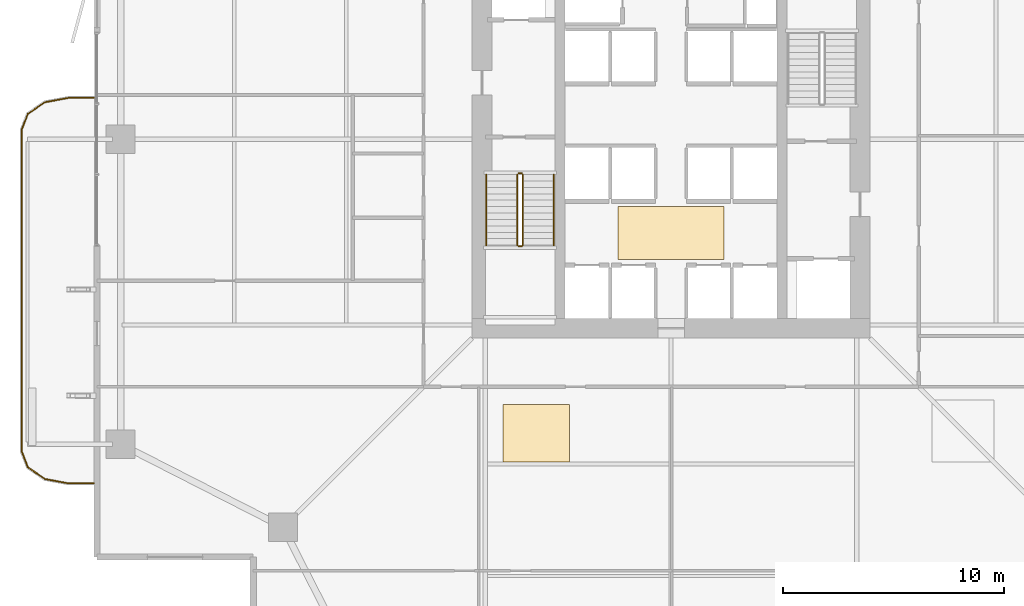
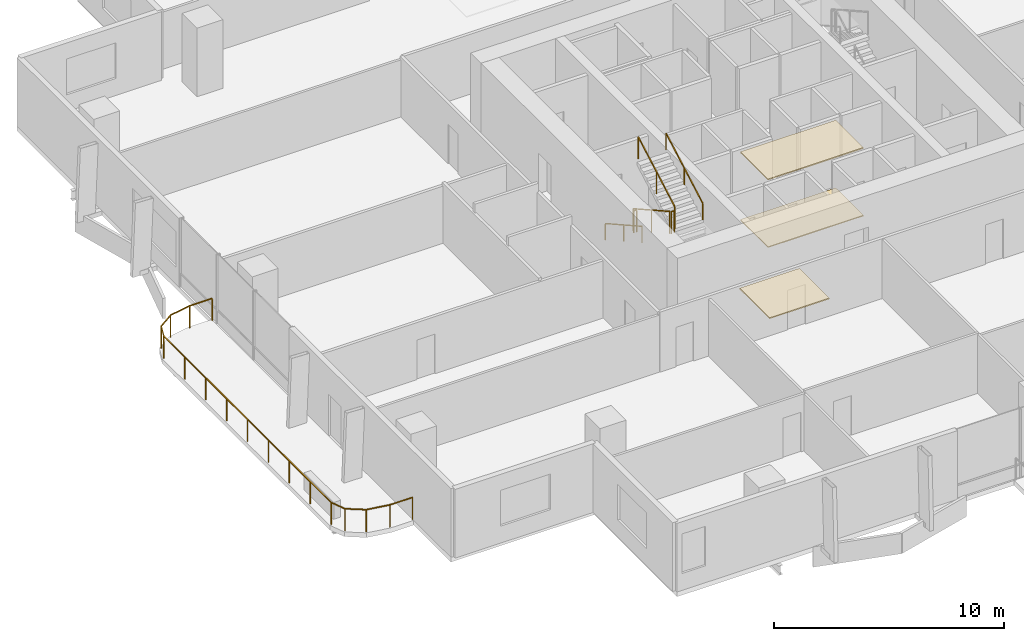
# One storey, part 21 of 24: 7 railings, 3 coverings.
"""IFC4 building model written with IfcOpenShell, lengths in metres."""

from ifc_helpers import new_model, si_unit, direction, frame, origin, origin_2d, place, context, subcontext, project, spatial, polyline, rectangle, outline, extrude, material, layer, layer_set, type_object, element, save


model = new_model("IFC4")

# Units and contexts
model_context = context("Model", 3, precision=1e-05, world=origin(), true_north=direction((0.0, 1.0)))
body_context = subcontext(model_context, "Body", "Model", "MODEL_VIEW")
ifc_project = project(units=[si_unit("LENGTHUNIT", "METRE"), si_unit("AREAUNIT", "SQUARE_METRE"), si_unit("VOLUMEUNIT", "CUBIC_METRE"), si_unit("PLANEANGLEUNIT", "RADIAN"), si_unit("MASSUNIT", "GRAM", prefix="KILO")], contexts=[model_context])

# Site, building, storey
site_placement = place(None, origin())
site = spatial("IfcSite", under=ifc_project, at=site_placement, CompositionType="ELEMENT")
building_placement = place(site_placement, origin())
building = spatial("IfcBuilding", under=site, at=building_placement, Name="Belovzor Exchange Tower", CompositionType="ELEMENT")
storey_placement = place(building_placement, frame((0.0, 0.0, 121.199951171875)))
storey = spatial("IfcBuildingStorey", under=building, at=storey_placement, Name="L29", CompositionType="ELEMENT", Elevation=121.199951171875)

# Railings
ifc_material_1 = material(Name="Stainless Steel Grade 304", Category="steel")
railing_type_1 = type_object("IfcRailingType", Name="Brushed Stainless Steel Stair Handrail 900", PredefinedType="HANDRAIL", material=ifc_material_1)
railing_1_placement = place(storey_placement, frame((20.449951171875, 27.199951171875, 0.16259765625)))
element("IfcRailing", 1, at=railing_1_placement, inside=storey, type_object=railing_type_1, Name="L29 ST-1 stair handrail 1", PredefinedType="HANDRAIL", context=body_context, shape_type="SweptSolid", body=[
    extrude(rectangle(XDim=0.048095703125, YDim=0.048095703125, at=origin_2d()), frame((0.0, 0.0, 0.8759765625), z_axis=(0.0, -0.872390997893, 0.488808701636), x_axis=(1.0, 0.0, 0.0)), (0.0, 0.0, 1.0), 3.656494140625),
    extrude(rectangle(XDim=0.0419921875, YDim=0.0419921875, at=origin_2d()), origin(), (0.0, 0.0, 1.0), 0.851806640625),
    extrude(rectangle(XDim=0.0419921875, YDim=0.0419921875, at=origin_2d()), frame((0.0, -1.594970703125, 0.8935546875)), (0.0, 0.0, 1.0), 0.851806640625),
    extrude(rectangle(XDim=0.0419921875, YDim=0.0419921875, at=origin_2d()), frame((0.0, -3.18994140625, 1.787353515625)), (0.0, 0.0, 1.0), 0.851806640625),
])
railing_2_placement = place(storey_placement, frame((23.5, 24.010009765625, 2.112548828125)))
element("IfcRailing", 2, at=railing_2_placement, inside=storey, type_object=railing_type_1, Name="L29 ST-1 stair handrail 2", PredefinedType="HANDRAIL", context=body_context, shape_type="SweptSolid", body=[
    extrude(rectangle(XDim=0.048095703125, YDim=0.048095703125, at=origin_2d()), frame((0.0, 0.0, 0.8759765625), z_axis=(0.0, 0.8723625253, 0.488859514025), x_axis=(-1.0, 0.0, 0.0)), (0.0, 0.0, 1.0), 3.65673828125),
    extrude(rectangle(XDim=0.0419921875, YDim=0.0419921875, at=origin_2d()), origin(), (0.0, 0.0, 1.0), 0.851806640625),
    extrude(rectangle(XDim=0.0419921875, YDim=0.0419921875, at=origin_2d()), frame((0.0, 1.594970703125, 0.893798828125)), (0.0, 0.0, 1.0), 0.851806640625),
    extrude(rectangle(XDim=0.0419921875, YDim=0.0419921875, at=origin_2d()), frame((0.0, 3.18994140625, 1.78759765625)), (0.0, 0.0, 1.0), 0.851806640625),
])
ifc_material_2 = material(Name="Stainless Steel and Laminated Safety Glass", Category="steel")
railing_type_2 = type_object("IfcRailingType", Name="Laminated Glass & Stainless Steel Balcony Balustrade 1200", PredefinedType="BALUSTRADE", material=ifc_material_2)
railing_3_placement = place(storey_placement, frame((2.68994140625, 30.669921875, 0.0)))
element("IfcRailing", 3, at=railing_3_placement, inside=storey, type_object=railing_type_2, Name="GR-1 Balcony Balustrade L29 West", PredefinedType="BALUSTRADE", context=body_context, shape_type="SweptSolid", body=[
    extrude(rectangle(XDim=0.048095703125, YDim=0.048095703125, at=origin_2d()), frame((0.0, 0.0, 1.17578125), z_axis=(-1.0, 0.0, 0.0), x_axis=(0.0, -1.0, 0.0)), (0.0, 0.0, 1.0), 1.133056640625),
    extrude(rectangle(XDim=0.048095703125, YDim=0.048095703125, at=origin_2d()), frame((-1.133056640625, 0.0, 1.17578125), z_axis=(-0.983644145941, -0.180122719713, 0.0), x_axis=(0.180122719713, -0.983644145941, 0.0)), (0.0, 0.0, 1.0), 1.09375),
    extrude(rectangle(XDim=0.048095703125, YDim=0.048095703125, at=origin_2d()), frame((-2.208984375, -0.197021484375, 1.17578125), z_axis=(-0.826614792125, -0.562768145367, 0.0), x_axis=(0.562768145367, -0.826614792125, 0.0)), (0.0, 0.0, 1.0), 0.9326171875),
    extrude(rectangle(XDim=0.048095703125, YDim=0.048095703125, at=origin_2d()), frame((-2.97998046875, -0.721923828125, 1.17578125), z_axis=(-0.365612923861, -0.930766990125, 0.0), x_axis=(0.930766990125, -0.365612923861, 0.0)), (0.0, 0.0, 1.0), 0.765869140625),
    extrude(rectangle(XDim=0.048095703125, YDim=0.048095703125, at=origin_2d()), frame((-3.260009765625, -1.434814453125, 1.17578125), z_axis=(0.0, -1.0, 0.0), x_axis=(1.0, 0.0, 0.0)), (0.0, 0.0, 1.0), 14.570068359375),
    extrude(rectangle(XDim=0.048095703125, YDim=0.048095703125, at=origin_2d()), frame((-3.260009765625, -16.0048828125, 1.17578125), z_axis=(0.365504480807, -0.930809580156, 0.0), x_axis=(0.930809580156, 0.365504480807, 0.0)), (0.0, 0.0, 1.0), 0.76611328125),
    extrude(rectangle(XDim=0.048095703125, YDim=0.048095703125, at=origin_2d()), frame((-2.97998046875, -16.718017578125, 1.17578125), z_axis=(0.826614792125, -0.562768145367, 0.0), x_axis=(0.562768145367, 0.826614792125, 0.0)), (0.0, 0.0, 1.0), 0.9326171875),
    extrude(rectangle(XDim=0.048095703125, YDim=0.048095703125, at=origin_2d()), frame((-2.208984375, -17.242919921875, 1.17578125), z_axis=(0.983644145941, -0.180122719713, 0.0), x_axis=(0.180122719713, 0.983644145941, 0.0)), (0.0, 0.0, 1.0), 1.09375),
    extrude(rectangle(XDim=0.048095703125, YDim=0.048095703125, at=origin_2d()), frame((-1.133056640625, -17.43994140625, 1.17578125), z_axis=(1.0, 0.0, 0.0), x_axis=(0.0, 1.0, 0.0)), (0.0, 0.0, 1.0), 1.133056640625),
    extrude(rectangle(XDim=0.0419921875, YDim=0.0419921875, at=origin_2d()), origin(), (0.0, 0.0, 1.0), 1.15185546875),
    extrude(rectangle(XDim=0.0419921875, YDim=0.0419921875, at=origin_2d()), frame((-1.133056640625, 0.0, 0.0)), (0.0, 0.0, 1.0), 1.15185546875),
    extrude(rectangle(XDim=0.0419921875, YDim=0.0419921875, at=origin_2d()), frame((-2.208984375, -0.197021484375, 0.0)), (0.0, 0.0, 1.0), 1.15185546875),
    extrude(rectangle(XDim=0.0419921875, YDim=0.0419921875, at=origin_2d()), frame((-2.97998046875, -0.721923828125, 0.0)), (0.0, 0.0, 1.0), 1.15185546875),
    extrude(rectangle(XDim=0.0419921875, YDim=0.0419921875, at=origin_2d()), frame((-3.260009765625, -1.434814453125, 0.0)), (0.0, 0.0, 1.0), 1.15185546875),
    extrude(rectangle(XDim=0.0419921875, YDim=0.0419921875, at=origin_2d()), frame((-3.260009765625, -3.256103515625, 0.0)), (0.0, 0.0, 1.0), 1.15185546875),
    extrude(rectangle(XDim=0.0419921875, YDim=0.0419921875, at=origin_2d()), frame((-3.260009765625, -5.077392578125, 0.0)), (0.0, 0.0, 1.0), 1.15185546875),
    extrude(rectangle(XDim=0.0419921875, YDim=0.0419921875, at=origin_2d()), frame((-3.260009765625, -6.898681640625, 0.0)), (0.0, 0.0, 1.0), 1.15185546875),
    extrude(rectangle(XDim=0.0419921875, YDim=0.0419921875, at=origin_2d()), frame((-3.260009765625, -8.7197265625, 0.0)), (0.0, 0.0, 1.0), 1.15185546875),
    extrude(rectangle(XDim=0.0419921875, YDim=0.0419921875, at=origin_2d()), frame((-3.260009765625, -10.541015625, 0.0)), (0.0, 0.0, 1.0), 1.15185546875),
    extrude(rectangle(XDim=0.0419921875, YDim=0.0419921875, at=origin_2d()), frame((-3.260009765625, -12.3623046875, 0.0)), (0.0, 0.0, 1.0), 1.15185546875),
    extrude(rectangle(XDim=0.0419921875, YDim=0.0419921875, at=origin_2d()), frame((-3.260009765625, -14.18359375, 0.0)), (0.0, 0.0, 1.0), 1.15185546875),
    extrude(rectangle(XDim=0.0419921875, YDim=0.0419921875, at=origin_2d()), frame((-3.260009765625, -16.0048828125, 0.0)), (0.0, 0.0, 1.0), 1.15185546875),
    extrude(rectangle(XDim=0.0419921875, YDim=0.0419921875, at=origin_2d()), frame((-2.97998046875, -16.718017578125, 0.0)), (0.0, 0.0, 1.0), 1.15185546875),
    extrude(rectangle(XDim=0.0419921875, YDim=0.0419921875, at=origin_2d()), frame((-2.208984375, -17.242919921875, 0.0)), (0.0, 0.0, 1.0), 1.15185546875),
    extrude(rectangle(XDim=0.0419921875, YDim=0.0419921875, at=origin_2d()), frame((-1.133056640625, -17.43994140625, 0.0)), (0.0, 0.0, 1.0), 1.15185546875),
    extrude(rectangle(XDim=0.0419921875, YDim=0.0419921875, at=origin_2d()), frame((0.0, -17.43994140625, 0.0)), (0.0, 0.0, 1.0), 1.15185546875),
])
ifc_material_3 = material(Name="Steel S355", Category="steel")
railing_type_3 = type_object("IfcRailingType", Name="Painted Steel Stairwell Guardrail 1200", PredefinedType="GUARDRAIL", material=ifc_material_3)
railing_4_placement = place(storey_placement, frame((21.85009765625, 27.199951171875, 0.16259765625)))
element("IfcRailing", 4, at=railing_4_placement, inside=storey, type_object=railing_type_3, Name="L29 ST-1 stair guard 1", PredefinedType="GUARDRAIL", context=body_context, shape_type="SweptSolid", body=[
    extrude(rectangle(XDim=0.048095703125, YDim=0.048095703125, at=origin_2d()), frame((0.0, 0.0, 1.17578125), z_axis=(0.0, -0.872390997893, 0.488808701636), x_axis=(1.0, 0.0, 0.0)), (0.0, 0.0, 1.0), 3.656494140625),
    extrude(rectangle(XDim=0.0419921875, YDim=0.0419921875, at=origin_2d()), origin(), (0.0, 0.0, 1.0), 1.15185546875),
    extrude(rectangle(XDim=0.0419921875, YDim=0.0419921875, at=origin_2d()), frame((0.0, -1.594970703125, 0.8935546875)), (0.0, 0.0, 1.0), 1.15185546875),
    extrude(rectangle(XDim=0.0419921875, YDim=0.0419921875, at=origin_2d()), frame((0.0, -3.18994140625, 1.787353515625)), (0.0, 0.0, 1.0), 1.15185546875),
])
railing_5_placement = place(storey_placement, frame((21.89990234375, 23.9599609375, 1.949951171875)))
element("IfcRailing", 5, at=railing_5_placement, inside=storey, type_object=railing_type_3, Name="L29 ST-1 stair guard 2", PredefinedType="GUARDRAIL", context=body_context, shape_type="SweptSolid", body=[
    extrude(rectangle(XDim=0.048095703125, YDim=0.048095703125, at=origin_2d()), frame((0.0, 0.0, 1.17578125), z_axis=(1.0, 0.0, 0.0), x_axis=(0.0, 1.0, 0.0)), (0.0, 0.0, 1.0), 0.150146484375),
    extrude(rectangle(XDim=0.0419921875, YDim=0.0419921875, at=origin_2d()), origin(), (0.0, 0.0, 1.0), 1.15185546875),
    extrude(rectangle(XDim=0.0419921875, YDim=0.0419921875, at=origin_2d()), frame((0.150146484375, 0.0, 0.0)), (0.0, 0.0, 1.0), 1.15185546875),
])
railing_6_placement = place(storey_placement, frame((22.10009765625, 24.010009765625, 2.112548828125)))
element("IfcRailing", 6, at=railing_6_placement, inside=storey, type_object=railing_type_3, Name="L29 ST-1 stair guard 3", PredefinedType="GUARDRAIL", context=body_context, shape_type="SweptSolid", body=[
    extrude(rectangle(XDim=0.048095703125, YDim=0.048095703125, at=origin_2d()), frame((0.0, 0.0, 1.17578125), z_axis=(0.0, 0.8723625253, 0.488859514025), x_axis=(-1.0, 0.0, 0.0)), (0.0, 0.0, 1.0), 3.65673828125),
    extrude(rectangle(XDim=0.0419921875, YDim=0.0419921875, at=origin_2d()), origin(), (0.0, 0.0, 1.0), 1.15185546875),
    extrude(rectangle(XDim=0.0419921875, YDim=0.0419921875, at=origin_2d()), frame((0.0, 1.594970703125, 0.893798828125)), (0.0, 0.0, 1.0), 1.15185546875),
    extrude(rectangle(XDim=0.0419921875, YDim=0.0419921875, at=origin_2d()), frame((0.0, 3.18994140625, 1.78759765625)), (0.0, 0.0, 1.0), 1.15185546875),
])
railing_7_placement = place(storey_placement, frame((21.89990234375, 27.25, 0.0)))
element("IfcRailing", 7, at=railing_7_placement, inside=storey, type_object=railing_type_3, Name="L29 ST-1 stair guard 4", PredefinedType="GUARDRAIL", context=body_context, shape_type="SweptSolid", body=[
    extrude(rectangle(XDim=0.048095703125, YDim=0.048095703125, at=origin_2d()), frame((0.0, 0.0, 1.17578125), z_axis=(1.0, 0.0, 0.0), x_axis=(0.0, 1.0, 0.0)), (0.0, 0.0, 1.0), 0.150146484375),
    extrude(rectangle(XDim=0.0419921875, YDim=0.0419921875, at=origin_2d()), origin(), (0.0, 0.0, 1.0), 1.15185546875),
    extrude(rectangle(XDim=0.0419921875, YDim=0.0419921875, at=origin_2d()), frame((0.150146484375, 0.0, 0.0)), (0.0, 0.0, 1.0), 1.15185546875),
])

# Coverings
ifc_material_4 = material(Name="Perforated Powder-Coated Aluminium", Category="aluminium")
ifc_layer_1 = layer(ifc_material_4, 0.06005859375)
ifc_layer_set_1 = layer_set([ifc_layer_1], Name="Perforated Powder-Coated Aluminium")
covering_type_1 = type_object("IfcCoveringType", Name="Perforated Acoustic Metal Tile Suspended Ceiling 60", PredefinedType="CEILING", material=ifc_layer_set_1)
covering_1_placement = place(storey_placement, frame((0.0, 0.0, 3.590087890625)))
element("IfcCovering", 8, at=covering_1_placement, inside=storey, type_object=covering_type_1, Name="CLG-AC60 Suspended Ceiling CLG-L29-LOB", PredefinedType="CEILING", context=body_context, shape_type="SweptSolid", body=[
    extrude(outline(polyline([(26.39990234375, 23.35009765625), (31.199951171875, 23.35009765625), (31.199951171875, 25.75), (26.39990234375, 25.75), (26.39990234375, 23.35009765625)])), origin(), (0.0, 0.0, 1.0), 0.06005859375),
])
covering_2_placement = place(storey_placement, frame((0.0, 0.0, 3.590087890625)))
element("IfcCovering", 9, at=covering_2_placement, inside=storey, type_object=covering_type_1, Name="CLG-AC60 Suspended Ceiling CLG-L29-Z0", PredefinedType="CEILING", context=body_context, shape_type="SweptSolid", body=[
    extrude(outline(polyline([(21.199951171875, 14.199951171875), (24.199951171875, 14.199951171875), (24.199951171875, 16.800048828125), (21.199951171875, 16.800048828125), (21.199951171875, 14.199951171875)])), origin(), (0.0, 0.0, 1.0), 0.06005859375),
])
ifc_material_5 = material(Name="Polished Natural Granite Tile", Category="masonry")
ifc_layer_2 = layer(ifc_material_5, 0.050048828125)
ifc_layer_set_2 = layer_set([ifc_layer_2], Name="Polished Natural Granite Tile")
covering_type_2 = type_object("IfcCoveringType", Name="Polished Karelian Granite & Raised Access Floor Finish 50", PredefinedType="FLOORING", material=ifc_layer_set_2)
covering_3_placement = place(storey_placement, origin())
element("IfcCovering", 10, at=covering_3_placement, inside=storey, type_object=covering_type_2, Name="FLR-GR50 Floor Finish FLR-L29-LOB", PredefinedType="FLOORING", context=body_context, shape_type="SweptSolid", body=[
    extrude(outline(polyline([(26.39990234375, 23.35009765625), (31.199951171875, 23.35009765625), (31.199951171875, 25.75), (26.39990234375, 25.75), (26.39990234375, 23.35009765625)])), origin(), (0.0, 0.0, 1.0), 0.050048828125),
])

save(model, "model.ifc")
